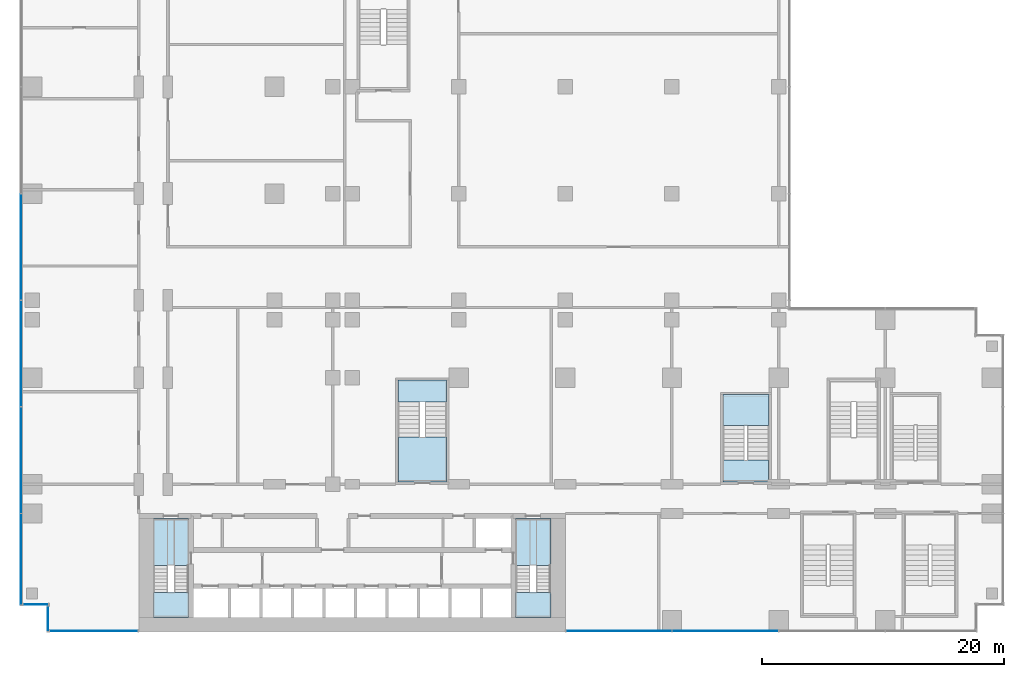
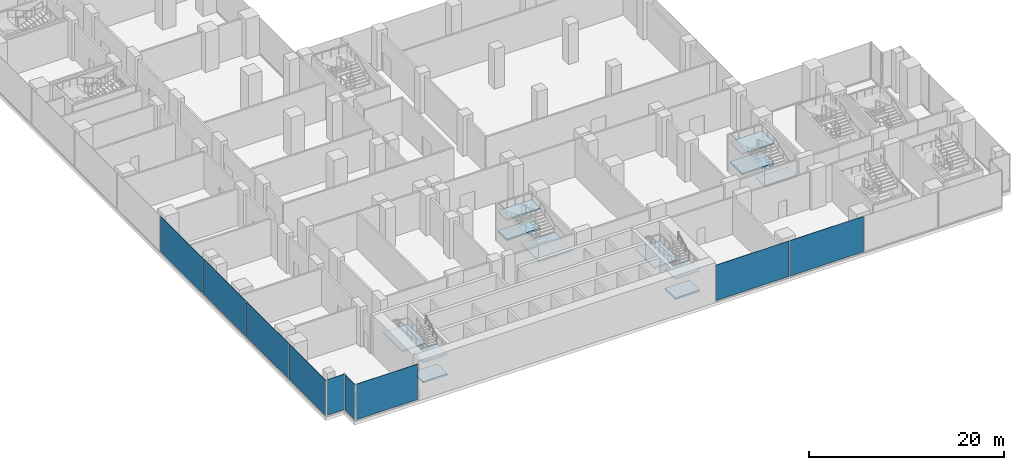
# One storey, part 12 of 30: 12 slabs, 9 plates, 9 elements without a shape of their own.
"""IFC4 building model written with IfcOpenShell, lengths in metres."""

from ifc_helpers import new_model, si_unit, direction, frame, origin, origin_2d, place, context, subcontext, project, spatial, polyline, rectangle, outline, extrude, source, transform, mapped, material, layer, layer_set, type_object, element, aggregate, save


model = new_model("IFC4")

# Units and contexts
model_context = context("Model", 3, precision=1e-05, world=origin(), true_north=direction((0.0, 1.0)))
body_context = subcontext(model_context, "Body", "Model", "MODEL_VIEW")
ifc_project = project(units=[si_unit("LENGTHUNIT", "METRE"), si_unit("AREAUNIT", "SQUARE_METRE"), si_unit("VOLUMEUNIT", "CUBIC_METRE"), si_unit("PLANEANGLEUNIT", "RADIAN"), si_unit("MASSUNIT", "GRAM", prefix="KILO")], contexts=[model_context])

# Site, building, storey
site_placement = place(None, origin())
site = spatial("IfcSite", under=ifc_project, at=site_placement, CompositionType="ELEMENT")
building_placement = place(site_placement, origin())
building = spatial("IfcBuilding", under=site, at=building_placement, Name="Kemantara Hotel Tower", CompositionType="ELEMENT")
storey_placement = place(building_placement, frame((0.0, 0.0, 13.0)))
storey = spatial("IfcBuildingStorey", under=building, at=storey_placement, Name="L02", CompositionType="ELEMENT", Elevation=13.0)

# Stair, slabs
ifc_material_1 = material(Name="Concrete fc 40 MPa", Category="concrete")
stair_type_1 = type_object("IfcStairType", Name="Stair 1200 wide 36 risers of 139 x 280 mm", PredefinedType="HALF_TURN_STAIR", material=ifc_material_1)
stair_1_placement = place(storey_placement, origin())
stair_1 = element("IfcStair", 1, at=stair_1_placement, inside=storey, type_object=stair_type_1, Name="L02 Exit stair ST1", PredefinedType="HALF_TURN_STAIR")
ifc_layer_1 = layer(ifc_material_1, 0.199951171875)
ifc_layer_set_1 = layer_set([ifc_layer_1], Name="Concrete fc 40 MPa")
slab_type = type_object("IfcSlabType", Name="Stair landing 200 mm", PredefinedType="LANDING", material=ifc_layer_set_1)
slab_1_placement = place(storey_placement, frame((0.0, 0.0, 1.050048828125)))
slab_1 = element("IfcSlab", 2, at=slab_1_placement, type_object=slab_type, Name="ST1 landing 1", PredefinedType="LANDING", context=body_context, shape_type="SweptSolid", body=[
    extrude(outline(polyline([(11.0, 3.260009765625), (11.0, 1.199951171875), (13.89990234375, 1.199951171875), (13.89990234375, 3.260009765625), (11.0, 3.260009765625)])), origin(), (0.0, 0.0, 1.0), 0.199951171875),
])
slab_2_placement = place(storey_placement, frame((0.0, 0.0, 2.300048828125)))
slab_2 = element("IfcSlab", 3, at=slab_2_placement, type_object=slab_type, Name="ST1 landing 2", PredefinedType="LANDING", context=body_context, shape_type="SweptSolid", body=[
    extrude(outline(polyline([(11.0, 9.39990234375), (11.0, 5.5), (13.89990234375, 5.5), (13.89990234375, 9.39990234375), (11.0, 9.39990234375)])), origin(), (0.0, 0.0, 1.0), 0.199951171875),
])
slab_3_placement = place(storey_placement, frame((0.0, 0.0, 3.550048828125)))
slab_3 = element("IfcSlab", 4, at=slab_3_placement, type_object=slab_type, Name="ST1 landing 3", PredefinedType="LANDING", context=body_context, shape_type="SweptSolid", body=[
    extrude(outline(polyline([(11.0, 3.260009765625), (11.0, 1.199951171875), (13.89990234375, 1.199951171875), (13.89990234375, 3.260009765625), (11.0, 3.260009765625)])), origin(), (0.0, 0.0, 1.0), 0.199951171875),
])
aggregate(stair_1, [slab_1, slab_2, slab_3])

stair_2_placement = place(storey_placement, origin())
stair_2 = element("IfcStair", 5, at=stair_2_placement, inside=storey, type_object=stair_type_1, Name="L02 Exit stair ST2", PredefinedType="HALF_TURN_STAIR")
slab_4_placement = place(storey_placement, frame((0.0, 0.0, 1.050048828125)))
slab_4 = element("IfcSlab", 6, at=slab_4_placement, type_object=slab_type, Name="ST2 landing 1", PredefinedType="LANDING", context=body_context, shape_type="SweptSolid", body=[
    extrude(outline(polyline([(40.89990234375, 3.260009765625), (40.89990234375, 1.199951171875), (43.800048828125, 1.199951171875), (43.800048828125, 3.260009765625), (40.89990234375, 3.260009765625)])), origin(), (0.0, 0.0, 1.0), 0.199951171875),
])
slab_5_placement = place(storey_placement, frame((0.0, 0.0, 2.300048828125)))
slab_5 = element("IfcSlab", 7, at=slab_5_placement, type_object=slab_type, Name="ST2 landing 2", PredefinedType="LANDING", context=body_context, shape_type="SweptSolid", body=[
    extrude(outline(polyline([(40.89990234375, 9.39990234375), (40.89990234375, 5.5), (43.800048828125, 5.5), (43.800048828125, 9.39990234375), (40.89990234375, 9.39990234375)])), origin(), (0.0, 0.0, 1.0), 0.199951171875),
])
slab_6_placement = place(storey_placement, frame((0.0, 0.0, 3.550048828125)))
slab_6 = element("IfcSlab", 8, at=slab_6_placement, type_object=slab_type, Name="ST2 landing 3", PredefinedType="LANDING", context=body_context, shape_type="SweptSolid", body=[
    extrude(outline(polyline([(40.89990234375, 3.260009765625), (40.89990234375, 1.199951171875), (43.800048828125, 1.199951171875), (43.800048828125, 3.260009765625), (40.89990234375, 3.260009765625)])), origin(), (0.0, 0.0, 1.0), 0.199951171875),
])
aggregate(stair_2, [slab_4, slab_5, slab_6])

stair_type_2 = type_object("IfcStairType", Name="Stair 1800 wide 36 risers of 139 x 360 mm", PredefinedType="HALF_TURN_STAIR", material=ifc_material_1)
stair_3_placement = place(storey_placement, origin())
stair_3 = element("IfcStair", 9, at=stair_3_placement, inside=storey, type_object=stair_type_2, Name="L02 Exit stair ST3", PredefinedType="HALF_TURN_STAIR")
slab_7_placement = place(storey_placement, frame((0.0, 0.0, 1.050048828125)))
slab_7 = element("IfcSlab", 10, at=slab_7_placement, type_object=slab_type, Name="ST3 landing 1", PredefinedType="LANDING", context=body_context, shape_type="SweptSolid", body=[
    extrude(outline(polyline([(61.800048828125, 17.080078125), (61.800048828125, 19.60009765625), (58.0, 19.60009765625), (58.0, 17.080078125), (61.800048828125, 17.080078125)])), origin(), (0.0, 0.0, 1.0), 0.199951171875),
])
slab_8_placement = place(storey_placement, frame((0.0, 0.0, 2.300048828125)))
slab_8 = element("IfcSlab", 11, at=slab_8_placement, type_object=slab_type, Name="ST3 landing 2", PredefinedType="LANDING", context=body_context, shape_type="SweptSolid", body=[
    extrude(outline(polyline([(61.800048828125, 12.39990234375), (61.800048828125, 14.199951171875), (58.0, 14.199951171875), (58.0, 12.39990234375), (61.800048828125, 12.39990234375)])), origin(), (0.0, 0.0, 1.0), 0.199951171875),
])
slab_9_placement = place(storey_placement, frame((0.0, 0.0, 3.550048828125)))
slab_9 = element("IfcSlab", 12, at=slab_9_placement, type_object=slab_type, Name="ST3 landing 3", PredefinedType="LANDING", context=body_context, shape_type="SweptSolid", body=[
    extrude(outline(polyline([(61.800048828125, 17.080078125), (61.800048828125, 19.60009765625), (58.0, 19.60009765625), (58.0, 17.080078125), (61.800048828125, 17.080078125)])), origin(), (0.0, 0.0, 1.0), 0.199951171875),
])
aggregate(stair_3, [slab_7, slab_8, slab_9])

stair_4_placement = place(storey_placement, origin())
stair_4 = element("IfcStair", 13, at=stair_4_placement, inside=storey, type_object=stair_type_2, Name="L02 Stair PS3", PredefinedType="HALF_TURN_STAIR")
slab_10_placement = place(storey_placement, frame((0.0, 0.0, 1.050048828125)))
slab_10 = element("IfcSlab", 14, at=slab_10_placement, type_object=slab_type, Name="PS3 landing 1", PredefinedType="LANDING", context=body_context, shape_type="SweptSolid", body=[
    extrude(outline(polyline([(35.199951171875, 18.97998046875), (35.199951171875, 20.800048828125), (31.199951171875, 20.800048828125), (31.199951171875, 18.97998046875), (35.199951171875, 18.97998046875)])), origin(), (0.0, 0.0, 1.0), 0.199951171875),
])
slab_11_placement = place(storey_placement, frame((0.0, 0.0, 2.300048828125)))
slab_11 = element("IfcSlab", 15, at=slab_11_placement, type_object=slab_type, Name="PS3 landing 2", PredefinedType="LANDING", context=body_context, shape_type="SweptSolid", body=[
    extrude(outline(polyline([(35.199951171875, 12.39990234375), (35.199951171875, 16.10009765625), (31.199951171875, 16.10009765625), (31.199951171875, 12.39990234375), (35.199951171875, 12.39990234375)])), origin(), (0.0, 0.0, 1.0), 0.199951171875),
])
slab_12_placement = place(storey_placement, frame((0.0, 0.0, 3.550048828125)))
slab_12 = element("IfcSlab", 16, at=slab_12_placement, type_object=slab_type, Name="PS3 landing 3", PredefinedType="LANDING", context=body_context, shape_type="SweptSolid", body=[
    extrude(outline(polyline([(35.199951171875, 18.97998046875), (35.199951171875, 20.800048828125), (31.199951171875, 20.800048828125), (31.199951171875, 18.97998046875), (35.199951171875, 18.97998046875)])), origin(), (0.0, 0.0, 1.0), 0.199951171875),
])
aggregate(stair_4, [slab_10, slab_11, slab_12])

# Curtain wall, plate
ifc_material_2 = material(Name="Laminated tinted insulated glass 44 mm", Category="glass")
curtain_wall_type = type_object("IfcCurtainWallType", Name="PODIUM GLASS CURTAIN WALL", PredefinedType="USERDEFINED", material=ifc_material_2)
curtain_wall_1_placement = place(storey_placement, origin())
curtain_wall_1 = element("IfcCurtainWall", 17, at=curtain_wall_1_placement, inside=storey, type_object=curtain_wall_type, Name="CW1 L02 POD-R01-1", ObjectType="PODIUM GLASS CURTAIN WALL", PredefinedType="USERDEFINED")
ifc_layer_2 = layer(ifc_material_2, 0.0439453125)
ifc_layer_set_2 = layer_set([ifc_layer_2], Name="Laminated tinted insulated glass 44 mm")
plate_type = type_object("IfcPlateType", Name="PODIUM GLASS CURTAIN WALL PANEL", PredefinedType="CURTAIN_PANEL", material=ifc_layer_set_2)
shared_shape_1 = source(origin(), body_context, "Body", "SweptSolid", [
    extrude(rectangle(XDim=7.25, YDim=0.0439453125, at=origin_2d()), origin(), (0.0, 0.0, 1.0), 4.449951171875),
])
plate_1_placement = place(storey_placement, frame((6.10009765625, 0.10009765625, 0.14990234375), z_axis=(0.0, 0.0, 1.0), x_axis=(1.0, 0.0, 0.0)))
plate_1 = element("IfcPlate", 18, at=plate_1_placement, type_object=plate_type, Name="CW1 glass panel POD-R01-1.1", PredefinedType="CURTAIN_PANEL", context=body_context, shape_type="MappedRepresentation", body=[
    mapped(shared_shape_1, transform((0.0, 0.0, 0.0))),
])
aggregate(curtain_wall_1, [plate_1])

# Curtain wall, plates
curtain_wall_2_placement = place(storey_placement, origin())
curtain_wall_2 = element("IfcCurtainWall", 19, at=curtain_wall_2_placement, inside=storey, type_object=curtain_wall_type, Name="CW1 L02 POD-R01-2", ObjectType="PODIUM GLASS CURTAIN WALL", PredefinedType="USERDEFINED")
shared_shape_2 = source(origin(), body_context, "Body", "SweptSolid", [
    extrude(rectangle(XDim=8.6875, YDim=0.0439453125, at=origin_2d()), origin(), (0.0, 0.0, 1.0), 4.449951171875),
])
plate_2_placement = place(storey_placement, frame((49.418701171875, 0.10009765625, 0.14990234375), z_axis=(0.0, 0.0, 1.0), x_axis=(1.0, 0.0, 0.0)))
plate_2 = element("IfcPlate", 20, at=plate_2_placement, type_object=plate_type, Name="CW1 glass panel POD-R01-2.1", PredefinedType="CURTAIN_PANEL", context=body_context, shape_type="MappedRepresentation", body=[
    mapped(shared_shape_2, transform((0.0, 0.0, 0.0))),
])
shared_shape_3 = source(origin(), body_context, "Body", "SweptSolid", [
    extrude(rectangle(XDim=8.72509765625, YDim=0.0439453125, at=origin_2d()), origin(), (0.0, 0.0, 1.0), 4.449951171875),
])
plate_3_placement = place(storey_placement, frame((58.199951171875, 0.10009765625, 0.14990234375), z_axis=(0.0, 0.0, 1.0), x_axis=(1.0, 0.0, 0.0)))
plate_3 = element("IfcPlate", 21, at=plate_3_placement, type_object=plate_type, Name="CW1 glass panel POD-R01-2.2", PredefinedType="CURTAIN_PANEL", context=body_context, shape_type="MappedRepresentation", body=[
    mapped(shared_shape_3, transform((0.0, 0.0, 0.0))),
])
aggregate(curtain_wall_2, [plate_2, plate_3])

curtain_wall_3_placement = place(storey_placement, origin())
curtain_wall_3 = element("IfcCurtainWall", 22, at=curtain_wall_3_placement, inside=storey, type_object=curtain_wall_type, Name="CW1 L02 POD-R16-1", ObjectType="PODIUM GLASS CURTAIN WALL", PredefinedType="USERDEFINED")
plate_4_placement = place(storey_placement, frame((0.10009765625, 31.800048828125, 0.14990234375), z_axis=(0.0, 0.0, 1.0), x_axis=(0.0, -1.0, 0.0)))
plate_4 = element("IfcPlate", 23, at=plate_4_placement, type_object=plate_type, Name="CW1 glass panel POD-R16-1.6", PredefinedType="CURTAIN_PANEL", context=body_context, shape_type="MappedRepresentation", body=[
    mapped(shared_shape_3, transform((0.0, 0.0, 0.0))),
])
plate_5_placement = place(storey_placement, frame((0.10009765625, 23.0, 0.14990234375), z_axis=(0.0, 0.0, 1.0), x_axis=(0.0, -1.0, 0.0)))
plate_5 = element("IfcPlate", 24, at=plate_5_placement, type_object=plate_type, Name="CW1 glass panel POD-R16-1.7", PredefinedType="CURTAIN_PANEL", context=body_context, shape_type="MappedRepresentation", body=[
    mapped(shared_shape_3, transform((0.0, 0.0, 0.0))),
])
plate_6_placement = place(storey_placement, frame((0.10009765625, 14.199951171875, 0.14990234375), z_axis=(0.0, 0.0, 1.0), x_axis=(0.0, -1.0, 0.0)))
plate_6 = element("IfcPlate", 25, at=plate_6_placement, type_object=plate_type, Name="CW1 glass panel POD-R16-1.8", PredefinedType="CURTAIN_PANEL", context=body_context, shape_type="MappedRepresentation", body=[
    mapped(shared_shape_3, transform((0.0, 0.0, 0.0))),
])
shared_shape_4 = source(origin(), body_context, "Body", "SweptSolid", [
    extrude(rectangle(XDim=7.487548828125, YDim=0.0439453125, at=origin_2d()), origin(), (0.0, 0.0, 1.0), 4.449951171875),
])
plate_7_placement = place(storey_placement, frame((0.10009765625, 6.018798828125, 0.14990234375), z_axis=(0.0, 0.0, 1.0), x_axis=(0.0, -1.0, 0.0)))
plate_7 = element("IfcPlate", 26, at=plate_7_placement, type_object=plate_type, Name="CW1 glass panel POD-R16-1.9", PredefinedType="CURTAIN_PANEL", context=body_context, shape_type="MappedRepresentation", body=[
    mapped(shared_shape_4, transform((0.0, 0.0, 0.0))),
])
aggregate(curtain_wall_3, [plate_4, plate_5, plate_6, plate_7])

# Curtain wall, plate
curtain_wall_4_placement = place(storey_placement, origin())
curtain_wall_4 = element("IfcCurtainWall", 27, at=curtain_wall_4_placement, inside=storey, type_object=curtain_wall_type, Name="CW1 L02 POD-R00-1", ObjectType="PODIUM GLASS CURTAIN WALL", PredefinedType="USERDEFINED")
shared_shape_5 = source(origin(), body_context, "Body", "SweptSolid", [
    extrude(rectangle(XDim=2.050048828125, YDim=0.0439453125, at=origin_2d()), origin(), (0.0, 0.0, 1.0), 4.449951171875),
])
plate_8_placement = place(storey_placement, frame((2.300048828125, 1.10009765625, 0.14990234375), z_axis=(0.0, 0.0, 1.0), x_axis=(0.0, -1.0, 0.0)))
plate_8 = element("IfcPlate", 28, at=plate_8_placement, type_object=plate_type, Name="CW1 glass panel POD-R00-1.1", PredefinedType="CURTAIN_PANEL", context=body_context, shape_type="MappedRepresentation", body=[
    mapped(shared_shape_5, transform((0.0, 0.0, 0.0))),
])
aggregate(curtain_wall_4, [plate_8])

curtain_wall_5_placement = place(storey_placement, origin())
curtain_wall_5 = element("IfcCurtainWall", 29, at=curtain_wall_5_placement, inside=storey, type_object=curtain_wall_type, Name="CW1 L02 POD-R17-1", ObjectType="PODIUM GLASS CURTAIN WALL", PredefinedType="USERDEFINED")
plate_9_placement = place(storey_placement, frame((1.300048828125, 2.300048828125, 0.14990234375), z_axis=(0.0, 0.0, 1.0), x_axis=(1.0, 0.0, 0.0)))
plate_9 = element("IfcPlate", 30, at=plate_9_placement, type_object=plate_type, Name="CW1 glass panel POD-R17-1.1", PredefinedType="CURTAIN_PANEL", context=body_context, shape_type="MappedRepresentation", body=[
    mapped(shared_shape_5, transform((0.0, 0.0, 0.0))),
])
aggregate(curtain_wall_5, [plate_9])

save(model, "model.ifc")
